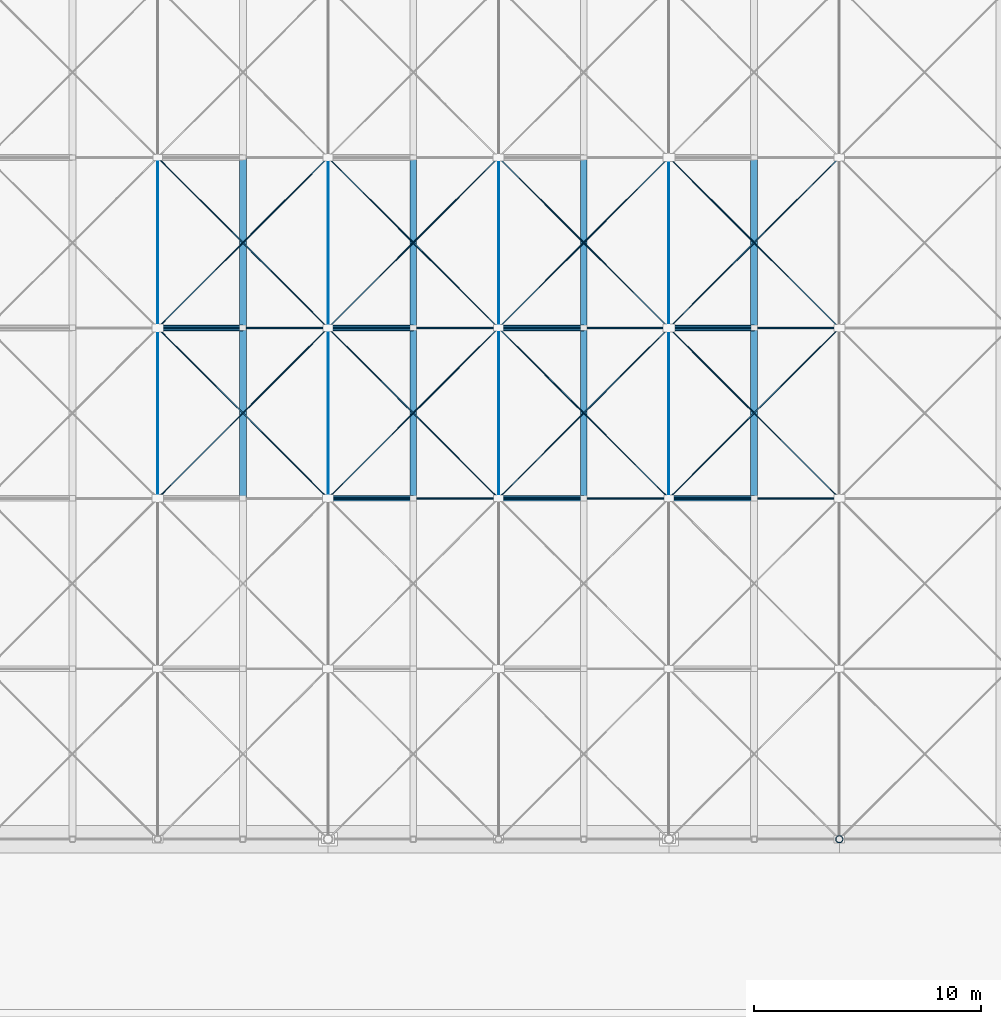
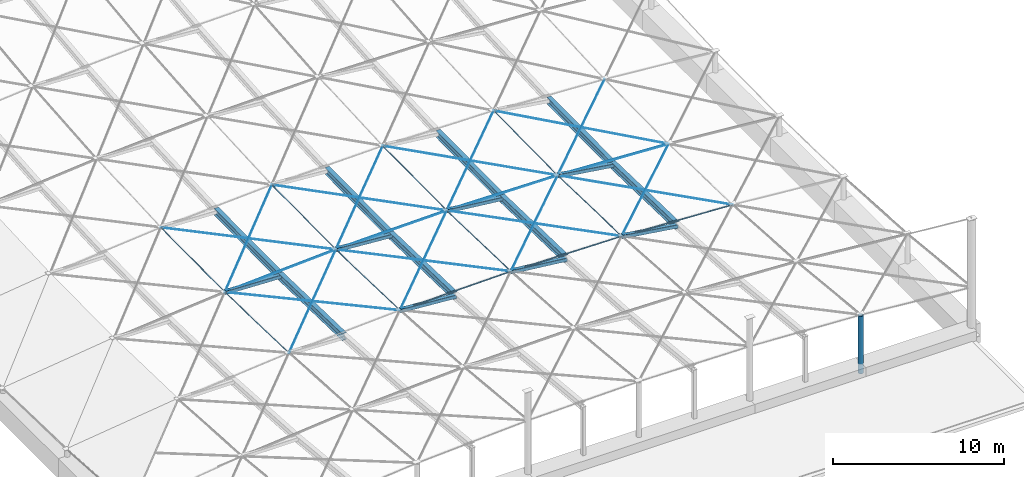
# One storey, part 5 of 17: 47 members.
"""IFC4 building model written with IfcOpenShell, lengths in metres."""

from ifc_helpers import new_model, si_unit, direction, frame, origin, origin_2d, place, context, subcontext, project, spatial, hollow_rectangle, circle, hollow_circle, i_section, extrude, material, material_profile, profile_set, type_object, element, save


model = new_model("IFC4")

# Units and contexts
model_context = context("Model", 3, precision=1e-05, world=origin(), true_north=direction((0.0, 1.0)))
body_context = subcontext(model_context, "Body", "Model", "MODEL_VIEW")
ifc_project = project(units=[si_unit("LENGTHUNIT", "METRE"), si_unit("AREAUNIT", "SQUARE_METRE"), si_unit("VOLUMEUNIT", "CUBIC_METRE"), si_unit("PLANEANGLEUNIT", "RADIAN"), si_unit("MASSUNIT", "GRAM", prefix="KILO")], contexts=[model_context])

# Site, building, storey
site_placement = place(None, origin())
site = spatial("IfcSite", under=ifc_project, at=site_placement, CompositionType="ELEMENT")
building_placement = place(site_placement, origin())
building = spatial("IfcBuilding", under=site, at=building_placement, Name="Qasida Concert Hall", CompositionType="ELEMENT")
storey_placement = place(building_placement, frame((0.0, 0.0, 25.199951171875)))
storey = spatial("IfcBuildingStorey", under=building, at=storey_placement, Name="RF", CompositionType="ELEMENT", Elevation=25.199951171875)

# Members
ifc_material_1 = material(Name="Steel S460N spiral strand EN 12385", Category="steel")
ifc_material_profile_1 = material_profile(ifc_material_1, circle(Radius=0.031982421875, at=origin_2d()), Name="STRAND D64")
ifc_profile_set_1 = profile_set([ifc_material_profile_1], Name="Steel S460N spiral strand EN 12385")
member_type_1 = type_object("IfcMemberType", Name="MB-CC1", PredefinedType="USERDEFINED", material=ifc_profile_set_1)
member_1_placement = place(storey_placement, frame((75.0, 37.5, 3.222900390625), z_axis=(0.999781018788, 0.0, 0.02092640609), x_axis=(0.0, 1.0, 0.0)))
element("IfcMember", 1, at=member_1_placement, inside=storey, type_object=member_type_1, Name="Roof cable CC-018", ObjectType="TENSION_CABLE", PredefinedType="USERDEFINED", context=body_context, shape_type="SweptSolid", body=[
    extrude(circle(Radius=0.031982421875, at=origin_2d()), origin(), (0.0, 0.0, 1.0), 7.501708984375),
])
member_2_placement = place(storey_placement, frame((82.5, 37.5, 3.3798828125), z_axis=(0.999888395876, 0.0, -0.014939738727), x_axis=(0.0, 1.0, 0.0)))
element("IfcMember", 2, at=member_2_placement, inside=storey, type_object=member_type_1, Name="Roof cable CC-019", ObjectType="TENSION_CABLE", PredefinedType="USERDEFINED", context=body_context, shape_type="SweptSolid", body=[
    extrude(circle(Radius=0.031982421875, at=origin_2d()), origin(), (0.0, 0.0, 1.0), 7.500732421875),
])
member_3_placement = place(storey_placement, frame((90.0, 37.5, 3.267822265625), z_axis=(0.998706525654, 0.0, -0.050845605668), x_axis=(0.0, 1.0, 0.0)))
element("IfcMember", 3, at=member_3_placement, inside=storey, type_object=member_type_1, Name="Roof cable CC-020", ObjectType="TENSION_CABLE", PredefinedType="USERDEFINED", context=body_context, shape_type="SweptSolid", body=[
    extrude(circle(Radius=0.031982421875, at=origin_2d()), origin(), (0.0, 0.0, 1.0), 7.509765625),
])
ifc_material_profile_2 = material_profile(ifc_material_1, circle(Radius=0.027099609375, at=origin_2d()), Name="STRAND D54")
ifc_profile_set_2 = profile_set([ifc_material_profile_2], Name="Steel S460N spiral strand EN 12385")
member_type_2 = type_object("IfcMemberType", Name="MB-CC2", PredefinedType="USERDEFINED", material=ifc_profile_set_2)
member_4_placement = place(storey_placement, frame((67.5, 45.0, 2.59619140625), z_axis=(0.998385056234, 0.0, 0.056809149684), x_axis=(0.0, 1.0, 0.0)))
element("IfcMember", 4, at=member_4_placement, inside=storey, type_object=member_type_2, Name="Roof cable CC-024", ObjectType="TENSION_CABLE", PredefinedType="USERDEFINED", context=body_context, shape_type="SweptSolid", body=[
    extrude(circle(Radius=0.027099609375, at=origin_2d()), origin(), (0.0, 0.0, 1.0), 7.51220703125),
])
member_5_placement = place(storey_placement, frame((75.0, 45.0, 3.02294921875), z_axis=(0.999781018788, 0.0, 0.02092640609), x_axis=(0.0, 1.0, 0.0)))
element("IfcMember", 5, at=member_5_placement, inside=storey, type_object=member_type_2, Name="Roof cable CC-025", ObjectType="TENSION_CABLE", PredefinedType="USERDEFINED", context=body_context, shape_type="SweptSolid", body=[
    extrude(circle(Radius=0.027099609375, at=origin_2d()), origin(), (0.0, 0.0, 1.0), 7.501708984375),
])
member_6_placement = place(storey_placement, frame((82.5, 45.0, 3.179931640625), z_axis=(0.999887909135, 0.0, -0.014972279889), x_axis=(0.0, 1.0, 0.0)))
element("IfcMember", 6, at=member_6_placement, inside=storey, type_object=member_type_2, Name="Roof cable CC-026", ObjectType="TENSION_CABLE", PredefinedType="USERDEFINED", context=body_context, shape_type="SweptSolid", body=[
    extrude(circle(Radius=0.027099609375, at=origin_2d()), origin(), (0.0, 0.0, 1.0), 7.500732421875),
])
member_7_placement = place(storey_placement, frame((90.0, 45.0, 3.067626953125), z_axis=(0.998708175982, 0.0, -0.050813179657), x_axis=(0.0, 1.0, 0.0)))
element("IfcMember", 7, at=member_7_placement, inside=storey, type_object=member_type_2, Name="Roof cable CC-027", ObjectType="TENSION_CABLE", PredefinedType="USERDEFINED", context=body_context, shape_type="SweptSolid", body=[
    extrude(circle(Radius=0.027099609375, at=origin_2d()), origin(), (0.0, 0.0, 1.0), 7.509765625),
])
ifc_material_2 = material(Name="Steel S355J2", Category="steel")
ifc_material_profile_3 = material_profile(ifc_material_2, i_section(OverallWidth=0.300048828125, OverallDepth=0.489990234375, WebThickness=0.011962890625, FlangeThickness=0.02294921875, FilletRadius=0.027099609375, at=origin_2d()), Name="HEA 500")
ifc_profile_set_3 = profile_set([ifc_material_profile_3], Name="Steel S355J2")
member_type_3 = type_object("IfcMemberType", Name="MB-PR3", PredefinedType="PURLIN", material=ifc_profile_set_3)
member_8_placement = place(storey_placement, frame((71.25, 37.5, 2.6533203125), z_axis=(0.0, 0.999644807367, -0.026650686759), x_axis=(-1.0, 0.0, 0.0)))
element("IfcMember", 8, at=member_8_placement, inside=storey, type_object=member_type_3, Name="Cable-net secondary rib RFR-029", PredefinedType="PURLIN", context=body_context, shape_type="SweptSolid", body=[
    extrude(i_section(OverallWidth=0.300048828125, OverallDepth=0.489990234375, WebThickness=0.011962890625, FlangeThickness=0.02294921875, FilletRadius=0.027099609375, at=origin_2d()), origin(), (0.0, 0.0, 1.0), 7.502685546875),
])
member_9_placement = place(storey_placement, frame((71.25, 45.0, 2.453369140625), z_axis=(0.0, 0.999950068823, 0.009992990597), x_axis=(-1.0, 0.0, 0.0)))
element("IfcMember", 9, at=member_9_placement, inside=storey, type_object=member_type_3, Name="Cable-net secondary rib RFR-030", PredefinedType="PURLIN", context=body_context, shape_type="SweptSolid", body=[
    extrude(i_section(OverallWidth=0.300048828125, OverallDepth=0.489990234375, WebThickness=0.011962890625, FlangeThickness=0.02294921875, FilletRadius=0.027099609375, at=origin_2d()), origin(), (0.0, 0.0, 1.0), 7.50048828125),
])
member_10_placement = place(storey_placement, frame((78.75, 37.5, 2.945068359375), z_axis=(0.0, 0.999644807367, -0.026650686759), x_axis=(-1.0, 0.0, 0.0)))
element("IfcMember", 10, at=member_10_placement, inside=storey, type_object=member_type_3, Name="Cable-net secondary rib RFR-046", PredefinedType="PURLIN", context=body_context, shape_type="SweptSolid", body=[
    extrude(i_section(OverallWidth=0.300048828125, OverallDepth=0.489990234375, WebThickness=0.011962890625, FlangeThickness=0.02294921875, FilletRadius=0.027099609375, at=origin_2d()), origin(), (0.0, 0.0, 1.0), 7.502685546875),
])
member_11_placement = place(storey_placement, frame((78.75, 45.0, 2.7451171875), z_axis=(0.0, 0.999950068823, 0.009992990597), x_axis=(-1.0, 0.0, 0.0)))
element("IfcMember", 11, at=member_11_placement, inside=storey, type_object=member_type_3, Name="Cable-net secondary rib RFR-047", PredefinedType="PURLIN", context=body_context, shape_type="SweptSolid", body=[
    extrude(i_section(OverallWidth=0.300048828125, OverallDepth=0.489990234375, WebThickness=0.011962890625, FlangeThickness=0.02294921875, FilletRadius=0.027099609375, at=origin_2d()), origin(), (0.0, 0.0, 1.0), 7.50048828125),
])
member_12_placement = place(storey_placement, frame((86.25, 37.5, 2.967529296875), z_axis=(0.0, 0.999643939919, -0.026683204125), x_axis=(-1.0, 0.0, 0.0)))
element("IfcMember", 12, at=member_12_placement, inside=storey, type_object=member_type_3, Name="Cable-net secondary rib RFR-063", PredefinedType="PURLIN", context=body_context, shape_type="SweptSolid", body=[
    extrude(i_section(OverallWidth=0.300048828125, OverallDepth=0.489990234375, WebThickness=0.011962890625, FlangeThickness=0.02294921875, FilletRadius=0.027099609375, at=origin_2d()), origin(), (0.0, 0.0, 1.0), 7.502685546875),
])
member_13_placement = place(storey_placement, frame((86.25, 45.0, 2.767333984375), z_axis=(0.0, 0.999949743033, 0.010025537788), x_axis=(-1.0, 0.0, 0.0)))
element("IfcMember", 13, at=member_13_placement, inside=storey, type_object=member_type_3, Name="Cable-net secondary rib RFR-064", PredefinedType="PURLIN", context=body_context, shape_type="SweptSolid", body=[
    extrude(i_section(OverallWidth=0.300048828125, OverallDepth=0.489990234375, WebThickness=0.011962890625, FlangeThickness=0.02294921875, FilletRadius=0.027099609375, at=origin_2d()), origin(), (0.0, 0.0, 1.0), 7.50048828125),
])
member_14_placement = place(storey_placement, frame((93.75, 37.5, 2.720458984375), z_axis=(0.0, 0.999644807367, -0.026650686759), x_axis=(-1.0, 0.0, 0.0)))
element("IfcMember", 14, at=member_14_placement, inside=storey, type_object=member_type_3, Name="Cable-net secondary rib RFR-080", PredefinedType="PURLIN", context=body_context, shape_type="SweptSolid", body=[
    extrude(i_section(OverallWidth=0.300048828125, OverallDepth=0.489990234375, WebThickness=0.011962890625, FlangeThickness=0.02294921875, FilletRadius=0.027099609375, at=origin_2d()), origin(), (0.0, 0.0, 1.0), 7.502685546875),
])
member_15_placement = place(storey_placement, frame((93.75, 45.0, 2.5205078125), z_axis=(0.0, 0.999950068823, 0.009992990597), x_axis=(-1.0, 0.0, 0.0)))
element("IfcMember", 15, at=member_15_placement, inside=storey, type_object=member_type_3, Name="Cable-net secondary rib RFR-081", PredefinedType="PURLIN", context=body_context, shape_type="SweptSolid", body=[
    extrude(i_section(OverallWidth=0.300048828125, OverallDepth=0.489990234375, WebThickness=0.011962890625, FlangeThickness=0.02294921875, FilletRadius=0.027099609375, at=origin_2d()), origin(), (0.0, 0.0, 1.0), 7.50048828125),
])
ifc_material_profile_4 = material_profile(ifc_material_1, circle(Radius=0.02197265625, at=origin_2d()), Name="STRAND D44")
ifc_profile_set_4 = profile_set([ifc_material_profile_4], Name="Steel S460N spiral strand EN 12385")
member_type_4 = type_object("IfcMemberType", Name="MB-SC1", PredefinedType="USERDEFINED", material=ifc_profile_set_4)
member_16_placement = place(storey_placement, frame((67.5, 37.5, 2.796142578125), z_axis=(0.0, 0.999644807367, -0.026650686759), x_axis=(-1.0, 0.0, 0.0)))
element("IfcMember", 16, at=member_16_placement, inside=storey, type_object=member_type_4, Name="Roof cable SC-019", ObjectType="TENSION_CABLE", PredefinedType="USERDEFINED", context=body_context, shape_type="SweptSolid", body=[
    extrude(circle(Radius=0.02197265625, at=origin_2d()), origin(), (0.0, 0.0, 1.0), 7.502685546875),
])
member_17_placement = place(storey_placement, frame((67.5, 45.0, 2.59619140625), z_axis=(0.0, 0.999950068823, 0.009992990597), x_axis=(-1.0, 0.0, 0.0)))
element("IfcMember", 17, at=member_17_placement, inside=storey, type_object=member_type_4, Name="Roof cable SC-020", ObjectType="TENSION_CABLE", PredefinedType="USERDEFINED", context=body_context, shape_type="SweptSolid", body=[
    extrude(circle(Radius=0.02197265625, at=origin_2d()), origin(), (0.0, 0.0, 1.0), 7.50048828125),
])
member_18_placement = place(storey_placement, frame((75.0, 37.5, 3.222900390625), z_axis=(0.0, 0.999644807367, -0.026650686759), x_axis=(-1.0, 0.0, 0.0)))
element("IfcMember", 18, at=member_18_placement, inside=storey, type_object=member_type_4, Name="Roof cable SC-027", ObjectType="TENSION_CABLE", PredefinedType="USERDEFINED", context=body_context, shape_type="SweptSolid", body=[
    extrude(circle(Radius=0.02197265625, at=origin_2d()), origin(), (0.0, 0.0, 1.0), 7.502685546875),
])
member_19_placement = place(storey_placement, frame((75.0, 45.0, 3.02294921875), z_axis=(0.0, 0.999950068823, 0.009992990597), x_axis=(-1.0, 0.0, 0.0)))
element("IfcMember", 19, at=member_19_placement, inside=storey, type_object=member_type_4, Name="Roof cable SC-028", ObjectType="TENSION_CABLE", PredefinedType="USERDEFINED", context=body_context, shape_type="SweptSolid", body=[
    extrude(circle(Radius=0.02197265625, at=origin_2d()), origin(), (0.0, 0.0, 1.0), 7.50048828125),
])
member_20_placement = place(storey_placement, frame((82.5, 37.5, 3.3798828125), z_axis=(0.0, 0.999644807367, -0.026650686759), x_axis=(-1.0, 0.0, 0.0)))
element("IfcMember", 20, at=member_20_placement, inside=storey, type_object=member_type_4, Name="Roof cable SC-035", ObjectType="TENSION_CABLE", PredefinedType="USERDEFINED", context=body_context, shape_type="SweptSolid", body=[
    extrude(circle(Radius=0.02197265625, at=origin_2d()), origin(), (0.0, 0.0, 1.0), 7.502685546875),
])
member_21_placement = place(storey_placement, frame((82.5, 45.0, 3.179931640625), z_axis=(0.0, 0.999950068823, 0.009992990597), x_axis=(-1.0, 0.0, 0.0)))
element("IfcMember", 21, at=member_21_placement, inside=storey, type_object=member_type_4, Name="Roof cable SC-036", ObjectType="TENSION_CABLE", PredefinedType="USERDEFINED", context=body_context, shape_type="SweptSolid", body=[
    extrude(circle(Radius=0.02197265625, at=origin_2d()), origin(), (0.0, 0.0, 1.0), 7.50048828125),
])
member_22_placement = place(storey_placement, frame((90.0, 37.5, 3.267822265625), z_axis=(0.0, 0.999643939919, -0.026683204125), x_axis=(-1.0, 0.0, 0.0)))
element("IfcMember", 22, at=member_22_placement, inside=storey, type_object=member_type_4, Name="Roof cable SC-043", ObjectType="TENSION_CABLE", PredefinedType="USERDEFINED", context=body_context, shape_type="SweptSolid", body=[
    extrude(circle(Radius=0.02197265625, at=origin_2d()), origin(), (0.0, 0.0, 1.0), 7.502685546875),
])
member_23_placement = place(storey_placement, frame((90.0, 45.0, 3.067626953125), z_axis=(0.0, 0.999949743033, 0.010025537788), x_axis=(-1.0, 0.0, 0.0)))
element("IfcMember", 23, at=member_23_placement, inside=storey, type_object=member_type_4, Name="Roof cable SC-044", ObjectType="TENSION_CABLE", PredefinedType="USERDEFINED", context=body_context, shape_type="SweptSolid", body=[
    extrude(circle(Radius=0.02197265625, at=origin_2d()), origin(), (0.0, 0.0, 1.0), 7.50048828125),
])
member_24_placement = place(storey_placement, frame((67.5, 37.5, 2.796142578125), z_axis=(0.706945172348, 0.706945172348, 0.021378647953), x_axis=(-0.707106781187, 0.707106781187, 0.0)))
element("IfcMember", 24, at=member_24_placement, inside=storey, type_object=member_type_4, Name="Roof cable diagonal DC-037", ObjectType="TENSION_CABLE", PredefinedType="USERDEFINED", context=body_context, shape_type="SweptSolid", body=[
    extrude(circle(Radius=0.02197265625, at=origin_2d()), origin(), (0.0, 0.0, 1.0), 10.609130859375),
])
member_25_placement = place(storey_placement, frame((67.5, 45.0, 2.59619140625), z_axis=(0.705875665196, -0.705875665196, 0.058983816164), x_axis=(0.707106781187, 0.707106781187, 0.0)))
element("IfcMember", 25, at=member_25_placement, inside=storey, type_object=member_type_4, Name="Roof cable diagonal DC-038", ObjectType="TENSION_CABLE", PredefinedType="USERDEFINED", context=body_context, shape_type="SweptSolid", body=[
    extrude(circle(Radius=0.02197265625, at=origin_2d()), origin(), (0.0, 0.0, 1.0), 10.625),
])
member_26_placement = place(storey_placement, frame((67.5, 45.0, 2.59619140625), z_axis=(0.706317051968, 0.706317051968, 0.047248748105), x_axis=(-0.707106781187, 0.707106781187, 0.0)))
element("IfcMember", 26, at=member_26_placement, inside=storey, type_object=member_type_4, Name="Roof cable diagonal DC-039", ObjectType="TENSION_CABLE", PredefinedType="USERDEFINED", context=body_context, shape_type="SweptSolid", body=[
    extrude(circle(Radius=0.02197265625, at=origin_2d()), origin(), (0.0, 0.0, 1.0), 10.618408203125),
])
member_27_placement = place(storey_placement, frame((67.5, 52.5, 2.671142578125), z_axis=(0.706718136812, -0.706718136812, 0.033150417811), x_axis=(0.707106781187, 0.707106781187, 0.0)))
element("IfcMember", 27, at=member_27_placement, inside=storey, type_object=member_type_4, Name="Roof cable diagonal DC-040", ObjectType="TENSION_CABLE", PredefinedType="USERDEFINED", context=body_context, shape_type="SweptSolid", body=[
    extrude(circle(Radius=0.02197265625, at=origin_2d()), origin(), (0.0, 0.0, 1.0), 10.612548828125),
])
member_28_placement = place(storey_placement, frame((75.0, 37.5, 3.222900390625), z_axis=(0.707100978855, 0.707100978855, -0.004051099358), x_axis=(-0.707106781187, 0.707106781187, 0.0)))
element("IfcMember", 28, at=member_28_placement, inside=storey, type_object=member_type_4, Name="Roof cable diagonal DC-053", ObjectType="TENSION_CABLE", PredefinedType="USERDEFINED", context=body_context, shape_type="SweptSolid", body=[
    extrude(circle(Radius=0.02197265625, at=origin_2d()), origin(), (0.0, 0.0, 1.0), 10.606689453125),
])
member_29_placement = place(storey_placement, frame((75.0, 45.0, 3.02294921875), z_axis=(0.706706736359, -0.706706736359, 0.033632983351), x_axis=(0.707106781187, 0.707106781187, 0.0)))
element("IfcMember", 29, at=member_29_placement, inside=storey, type_object=member_type_4, Name="Roof cable diagonal DC-054", ObjectType="TENSION_CABLE", PredefinedType="USERDEFINED", context=body_context, shape_type="SweptSolid", body=[
    extrude(circle(Radius=0.02197265625, at=origin_2d()), origin(), (0.0, 0.0, 1.0), 10.612548828125),
])
member_30_placement = place(storey_placement, frame((75.0, 45.0, 3.02294921875), z_axis=(0.706937786097, 0.706937786097, 0.021861682838), x_axis=(-0.707106781187, 0.707106781187, 0.0)))
element("IfcMember", 30, at=member_30_placement, inside=storey, type_object=member_type_4, Name="Roof cable diagonal DC-055", ObjectType="TENSION_CABLE", PredefinedType="USERDEFINED", context=body_context, shape_type="SweptSolid", body=[
    extrude(circle(Radius=0.02197265625, at=origin_2d()), origin(), (0.0, 0.0, 1.0), 10.609130859375),
])
member_31_placement = place(storey_placement, frame((75.0, 52.5, 3.097900390625), z_axis=(0.707085634532, -0.707085634532, 0.007733749128), x_axis=(0.707106781187, 0.707106781187, 0.0)))
element("IfcMember", 31, at=member_31_placement, inside=storey, type_object=member_type_4, Name="Roof cable diagonal DC-056", ObjectType="TENSION_CABLE", PredefinedType="USERDEFINED", context=body_context, shape_type="SweptSolid", body=[
    extrude(circle(Radius=0.02197265625, at=origin_2d()), origin(), (0.0, 0.0, 1.0), 10.60693359375),
])
member_32_placement = place(storey_placement, frame((82.5, 37.5, 3.3798828125), z_axis=(0.706800555592, 0.706800555592, -0.029427015319), x_axis=(-0.707106781187, 0.707106781187, 0.0)))
element("IfcMember", 32, at=member_32_placement, inside=storey, type_object=member_type_4, Name="Roof cable diagonal DC-069", ObjectType="TENSION_CABLE", PredefinedType="USERDEFINED", context=body_context, shape_type="SweptSolid", body=[
    extrude(circle(Radius=0.02197265625, at=origin_2d()), origin(), (0.0, 0.0, 1.0), 10.611083984375),
])
member_33_placement = place(storey_placement, frame((82.5, 45.0, 3.179931640625), z_axis=(0.707082505852, -0.707082505852, 0.008286123115), x_axis=(0.707106781187, 0.707106781187, 0.0)))
element("IfcMember", 33, at=member_33_placement, inside=storey, type_object=member_type_4, Name="Roof cable diagonal DC-070", ObjectType="TENSION_CABLE", PredefinedType="USERDEFINED", context=body_context, shape_type="SweptSolid", body=[
    extrude(circle(Radius=0.02197265625, at=origin_2d()), origin(), (0.0, 0.0, 1.0), 10.60693359375),
])
member_34_placement = place(storey_placement, frame((82.5, 45.0, 3.179931640625), z_axis=(0.707102453401, 0.707102453401, -0.003498684014), x_axis=(-0.707106781187, 0.707106781187, 0.0)))
element("IfcMember", 34, at=member_34_placement, inside=storey, type_object=member_type_4, Name="Roof cable diagonal DC-071", ObjectType="TENSION_CABLE", PredefinedType="USERDEFINED", context=body_context, shape_type="SweptSolid", body=[
    extrude(circle(Radius=0.02197265625, at=origin_2d()), origin(), (0.0, 0.0, 1.0), 10.606689453125),
])
member_35_placement = place(storey_placement, frame((82.5, 52.5, 3.2548828125), z_axis=(0.706996609041, -0.706996609041, -0.017651901013), x_axis=(0.707106781187, 0.707106781187, 0.0)))
element("IfcMember", 35, at=member_35_placement, inside=storey, type_object=member_type_4, Name="Roof cable diagonal DC-072", ObjectType="TENSION_CABLE", PredefinedType="USERDEFINED", context=body_context, shape_type="SweptSolid", body=[
    extrude(circle(Radius=0.02197265625, at=origin_2d()), origin(), (0.0, 0.0, 1.0), 10.608154296875),
])
member_36_placement = place(storey_placement, frame((90.0, 37.5, 3.267822265625), z_axis=(0.706045447296, 0.706045447296, -0.054769085316), x_axis=(-0.707106781187, 0.707106781187, 0.0)))
element("IfcMember", 36, at=member_36_placement, inside=storey, type_object=member_type_4, Name="Roof cable diagonal DC-085", ObjectType="TENSION_CABLE", PredefinedType="USERDEFINED", context=body_context, shape_type="SweptSolid", body=[
    extrude(circle(Radius=0.02197265625, at=origin_2d()), origin(), (0.0, 0.0, 1.0), 10.62255859375),
])
member_37_placement = place(storey_placement, frame((90.0, 45.0, 3.067626953125), z_axis=(0.707003115997, -0.707003115997, -0.017122731716), x_axis=(0.707106781187, 0.707106781187, 0.0)))
element("IfcMember", 37, at=member_37_placement, inside=storey, type_object=member_type_4, Name="Roof cable diagonal DC-086", ObjectType="TENSION_CABLE", PredefinedType="USERDEFINED", context=body_context, shape_type="SweptSolid", body=[
    extrude(circle(Radius=0.02197265625, at=origin_2d()), origin(), (0.0, 0.0, 1.0), 10.608154296875),
])
member_38_placement = place(storey_placement, frame((90.0, 45.0, 3.067626953125), z_axis=(0.706811463314, 0.706811463314, -0.028898281182), x_axis=(-0.707106781187, 0.707106781187, 0.0)))
element("IfcMember", 38, at=member_38_placement, inside=storey, type_object=member_type_4, Name="Roof cable diagonal DC-087", ObjectType="TENSION_CABLE", PredefinedType="USERDEFINED", context=body_context, shape_type="SweptSolid", body=[
    extrude(circle(Radius=0.02197265625, at=origin_2d()), origin(), (0.0, 0.0, 1.0), 10.611083984375),
])
member_39_placement = place(storey_placement, frame((90.0, 52.5, 3.142822265625), z_axis=(0.706451954215, -0.706451954215, -0.043026419477), x_axis=(0.707106781187, 0.707106781187, 0.0)))
element("IfcMember", 39, at=member_39_placement, inside=storey, type_object=member_type_4, Name="Roof cable diagonal DC-088", ObjectType="TENSION_CABLE", PredefinedType="USERDEFINED", context=body_context, shape_type="SweptSolid", body=[
    extrude(circle(Radius=0.02197265625, at=origin_2d()), origin(), (0.0, 0.0, 1.0), 10.616455078125),
])
ifc_material_profile_5 = material_profile(ifc_material_2, hollow_circle(Radius=0.161865234375, WallThickness=0.01611328125, at=origin_2d()), Name="CHS 323.9x16")
ifc_profile_set_5 = profile_set([ifc_material_profile_5], Name="Steel S355J2")
member_type_5 = type_object("IfcMemberType", Name="MB-ST3", PredefinedType="STRUT", material=ifc_profile_set_5)
member_40_placement = place(storey_placement, frame((97.5, 22.5, 0.0), z_axis=(0.0, 0.0, 1.0), x_axis=(1.0, 0.0, 0.0)))
element("IfcMember", 40, at=member_40_placement, inside=storey, type_object=member_type_5, Name="Roof ring-beam edge strut EST-014", PredefinedType="STRUT", context=body_context, shape_type="SweptSolid", body=[
    extrude(hollow_circle(Radius=0.161865234375, WallThickness=0.01611328125, at=origin_2d()), origin(), (0.0, 0.0, 1.0), 4.111083984375),
])
ifc_material_profile_6 = material_profile(ifc_material_2, hollow_rectangle(XDim=0.25, YDim=0.25, WallThickness=0.012451171875, InnerFilletRadius=0.012451171875, OuterFilletRadius=0.02490234375, at=origin_2d()), Name="SHS 250x250x12.5")
ifc_profile_set_6 = profile_set([ifc_material_profile_6], Name="Steel S355J2")
member_type_6 = type_object("IfcMemberType", Name="MB-ST5", PredefinedType="STRUT", material=ifc_profile_set_6)
member_41_placement = place(storey_placement, frame((67.5, 45.0, 2.59619140625), z_axis=(0.999275518753, 0.0, -0.038058344953), x_axis=(0.0, 1.0, 0.0)))
element("IfcMember", 41, at=member_41_placement, inside=storey, type_object=member_type_6, Name="Cable-net rib hanger strut RFRH-022", PredefinedType="STRUT", context=body_context, shape_type="SweptSolid", body=[
    extrude(hollow_rectangle(XDim=0.25, YDim=0.25, WallThickness=0.012451171875, InnerFilletRadius=0.012451171875, OuterFilletRadius=0.02490234375, at=origin_2d()), origin(), (0.0, 0.0, 1.0), 3.752685546875),
])
for number, where, z_axis, x_axis, name in (
    (42, (75.0, 37.5, 3.222900390625), (0.997266691441, 0.0, -0.073886034822), (0.0, 1.0, 0.0), "Cable-net rib hanger strut RFRH-038"),
    (43, (75.0, 45.0, 3.02294921875), (0.997266691441, 0.0, -0.073886034822), (0.0, 1.0, 0.0), "Cable-net rib hanger strut RFRH-039"),
):
    element("IfcMember", number, at=place(storey_placement, frame(where, z_axis=z_axis, x_axis=x_axis)), inside=storey, type_object=member_type_6, Name=name, PredefinedType="STRUT", context=body_context, shape_type="SweptSolid", body=[
        extrude(hollow_rectangle(XDim=0.25, YDim=0.25, WallThickness=0.012451171875, InnerFilletRadius=0.012451171875, OuterFilletRadius=0.02490234375, at=origin_2d()), origin(), (0.0, 0.0, 1.0), 3.76025390625),
    ])
for number, where, z_axis, x_axis, name in (
    (44, (82.5, 37.5, 3.3798828125), (0.994008575263, 0.0, -0.109302114819), (0.0, 1.0, 0.0), "Cable-net rib hanger strut RFRH-055"),
    (45, (82.5, 45.0, 3.179931640625), (0.994001542248, 0.0, -0.109366055104), (0.0, 1.0, 0.0), "Cable-net rib hanger strut RFRH-056"),
):
    element("IfcMember", number, at=place(storey_placement, frame(where, z_axis=z_axis, x_axis=x_axis)), inside=storey, type_object=member_type_6, Name=name, PredefinedType="STRUT", context=body_context, shape_type="SweptSolid", body=[
        extrude(hollow_rectangle(XDim=0.25, YDim=0.25, WallThickness=0.012451171875, InnerFilletRadius=0.012451171875, OuterFilletRadius=0.02490234375, at=origin_2d()), origin(), (0.0, 0.0, 1.0), 3.772705078125),
    ])
for number, where, z_axis, x_axis, name in (
    (46, (90.0, 37.5, 3.267822265625), (0.989514574694, 0.0, -0.144433051853), (0.0, 1.0, 0.0), "Cable-net rib hanger strut RFRH-072"),
    (47, (90.0, 45.0, 3.067626953125), (0.989523779804, 0.0, -0.144369973342), (0.0, 1.0, 0.0), "Cable-net rib hanger strut RFRH-073"),
):
    element("IfcMember", number, at=place(storey_placement, frame(where, z_axis=z_axis, x_axis=x_axis)), inside=storey, type_object=member_type_6, Name=name, PredefinedType="STRUT", context=body_context, shape_type="SweptSolid", body=[
        extrude(hollow_rectangle(XDim=0.25, YDim=0.25, WallThickness=0.012451171875, InnerFilletRadius=0.012451171875, OuterFilletRadius=0.02490234375, at=origin_2d()), origin(), (0.0, 0.0, 1.0), 3.789794921875),
    ])

save(model, "model.ifc")
